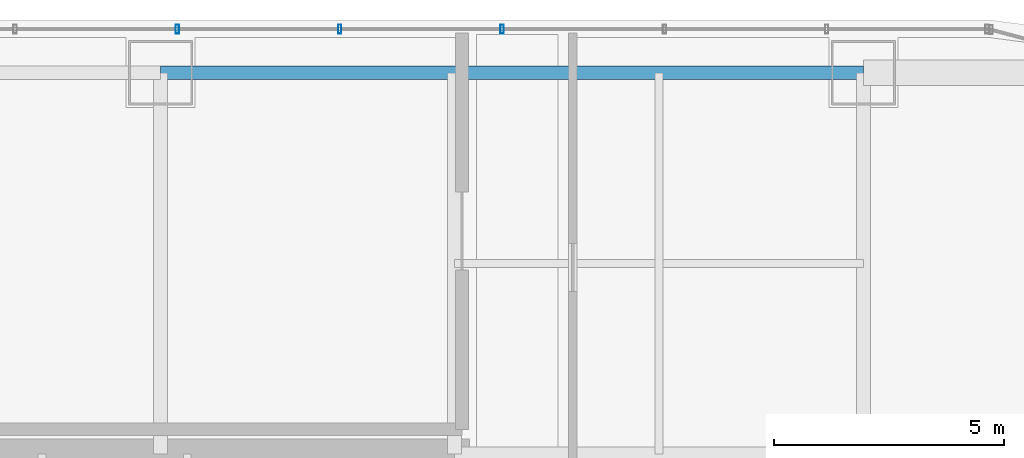
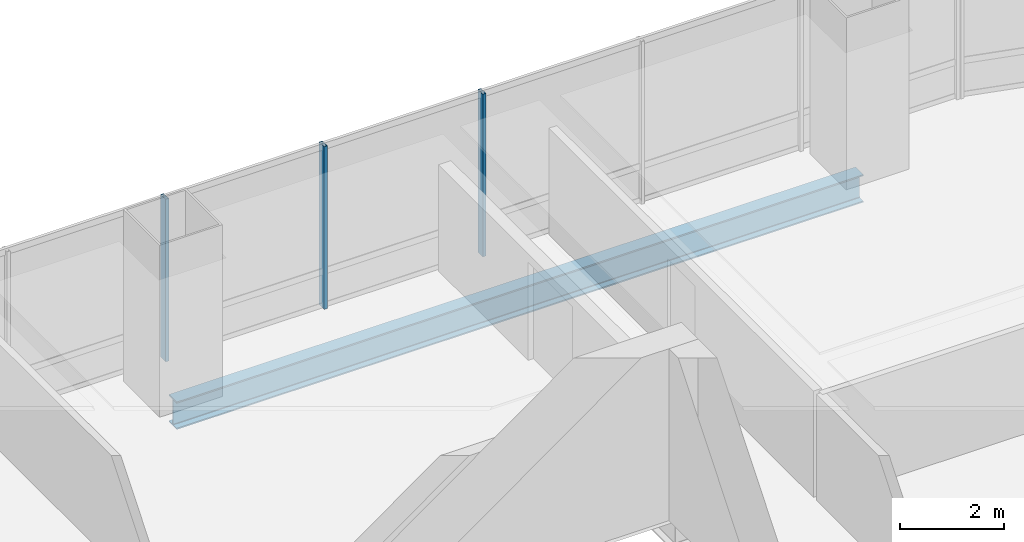
# One storey, part 24 of 35: 3 members, 1 beam, 1 element without a shape of its own.
"""IFC4 building model written with IfcOpenShell, lengths in metres."""

from ifc_helpers import new_model, si_unit, direction, frame, origin, origin_2d, place, context, subcontext, project, spatial, hollow_rectangle, i_section, extrude, material, material_profile, profile_set, type_object, element, aggregate, save


model = new_model("IFC4")

# Units and contexts
model_context = context("Model", 3, precision=1e-05, world=origin(), true_north=direction((0.0, 1.0)))
body_context = subcontext(model_context, "Body", "Model", "MODEL_VIEW")
ifc_project = project(units=[si_unit("LENGTHUNIT", "METRE"), si_unit("AREAUNIT", "SQUARE_METRE"), si_unit("VOLUMEUNIT", "CUBIC_METRE"), si_unit("PLANEANGLEUNIT", "RADIAN"), si_unit("MASSUNIT", "GRAM", prefix="KILO")], contexts=[model_context])

# Site, building, storey
site_placement = place(None, origin())
site = spatial("IfcSite", under=ifc_project, at=site_placement, CompositionType="ELEMENT")
building_placement = place(site_placement, origin())
building = spatial("IfcBuilding", under=site, at=building_placement, Name="Punatoya Terracotta Tower", CompositionType="ELEMENT")
storey_placement = place(building_placement, frame((0.0, 0.0, 216.75)))
storey = spatial("IfcBuildingStorey", under=building, at=storey_placement, Name="L51", CompositionType="ELEMENT", Elevation=216.75)

# Beam
ifc_material_1 = material(Name="Steel S355", Category="steel")
ifc_material_profile_1 = material_profile(ifc_material_1, i_section(OverallWidth=0.300048828125, OverallDepth=0.64990234375, WebThickness=0.01611328125, FlangeThickness=0.031005859375, FilletRadius=0.01806640625, at=origin_2d()))
ifc_profile_set_1 = profile_set([ifc_material_profile_1], Name="Steel S355")
beam_type = type_object("IfcBeamType", Name="BM-PRI-650", PredefinedType="BEAM", material=ifc_profile_set_1)
beam_placement = place(storey_placement, frame((3.800048828125, 17.5, -0.544921875), z_axis=(1.0, 0.0, 0.0), x_axis=(0.0, 1.0, 0.0)))
element("IfcBeam", 1, at=beam_placement, inside=storey, type_object=beam_type, Name="BM-L51-RG-N3", PredefinedType="BEAM", context=body_context, shape_type="SweptSolid", body=[
    extrude(i_section(OverallWidth=0.300048828125, OverallDepth=0.64990234375, WebThickness=0.01611328125, FlangeThickness=0.031005859375, FilletRadius=0.01806640625, at=origin_2d()), origin(), (0.0, 0.0, 1.0), 15.300048828125),
])

# Curtain wall, members
ifc_material_2 = material(Name="Aluminium 6063-T6 + Double Low-E Glass", Category="aluminium")
curtain_wall_type = type_object("IfcCurtainWallType", Name="CW-M2", PredefinedType="NOTDEFINED", material=ifc_material_2)
curtain_wall_placement = place(storey_placement, origin())
curtain_wall = element("IfcCurtainWall", 2, at=curtain_wall_placement, inside=storey, type_object=curtain_wall_type, Name="L51 Curtain Wall CW-L51-N09-1", PredefinedType="NOTDEFINED")
ifc_material_3 = material(Name="Aluminium 6063-T6", Category="aluminium")
ifc_material_profile_2 = material_profile(ifc_material_3, hollow_rectangle(XDim=0.072021484375, YDim=0.195068359375, WallThickness=0.00439453125, at=origin_2d()))
ifc_profile_set_2 = profile_set([ifc_material_profile_2], Name="Aluminium 6063-T6")
member_type = type_object("IfcMemberType", Name="CW-MUL-M2", PredefinedType="MULLION", material=ifc_profile_set_2)
member_1_placement = place(storey_placement, frame((11.235107421875, 18.449951171875, 0.0), z_axis=(0.0, 0.0, 1.0), x_axis=(1.0, 0.0, 0.0)))
member_1 = element("IfcMember", 3, at=member_1_placement, type_object=member_type, Name="CW-L51-N09-1 Mullion 03", PredefinedType="MULLION", context=body_context, shape_type="SweptSolid", body=[
    extrude(hollow_rectangle(XDim=0.072021484375, YDim=0.195068359375, WallThickness=0.00439453125, at=origin_2d()), origin(), (0.0, 0.0, 1.0), 3.830078125),
])
member_2_placement = place(storey_placement, frame((7.700927734375, 18.449951171875, 0.0), z_axis=(0.0, 0.0, 1.0), x_axis=(1.0, 0.0, 0.0)))
member_2 = element("IfcMember", 4, at=member_2_placement, type_object=member_type, Name="CW-L51-N09-1 Mullion 04", PredefinedType="MULLION", context=body_context, shape_type="SweptSolid", body=[
    extrude(hollow_rectangle(XDim=0.072021484375, YDim=0.195068359375, WallThickness=0.00439453125, at=origin_2d()), origin(), (0.0, 0.0, 1.0), 3.830078125),
])
member_3_placement = place(storey_placement, frame((4.1669921875, 18.449951171875, 0.0), z_axis=(0.0, 0.0, 1.0), x_axis=(1.0, 0.0, 0.0)))
member_3 = element("IfcMember", 5, at=member_3_placement, type_object=member_type, Name="CW-L51-N09-1 Mullion 05", PredefinedType="MULLION", context=body_context, shape_type="SweptSolid", body=[
    extrude(hollow_rectangle(XDim=0.072021484375, YDim=0.195068359375, WallThickness=0.00439453125, at=origin_2d()), origin(), (0.0, 0.0, 1.0), 3.830078125),
])
aggregate(curtain_wall, [member_1, member_2, member_3])

save(model, "model.ifc")
